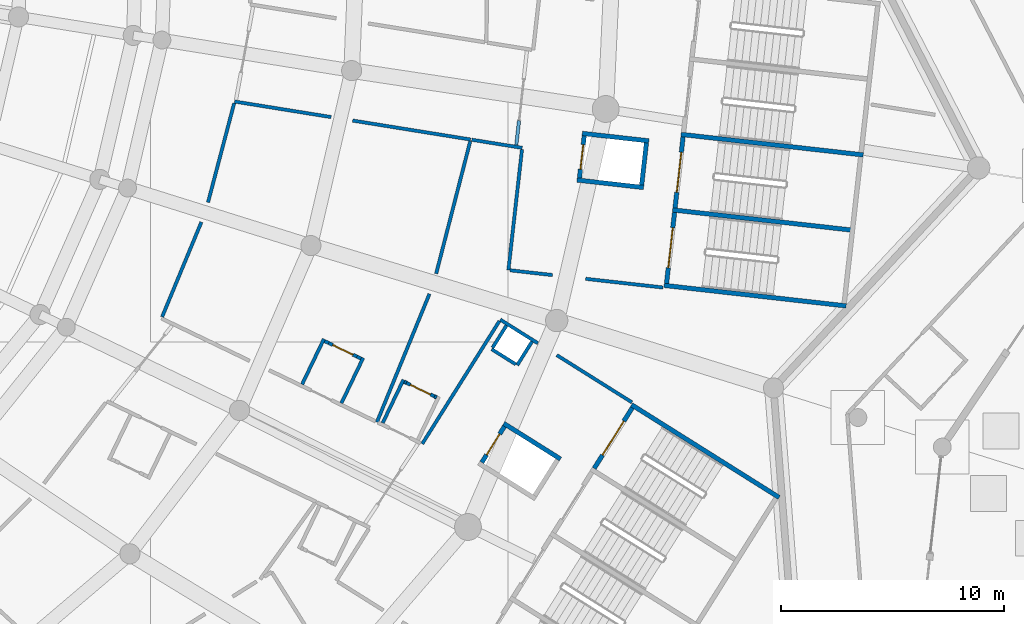
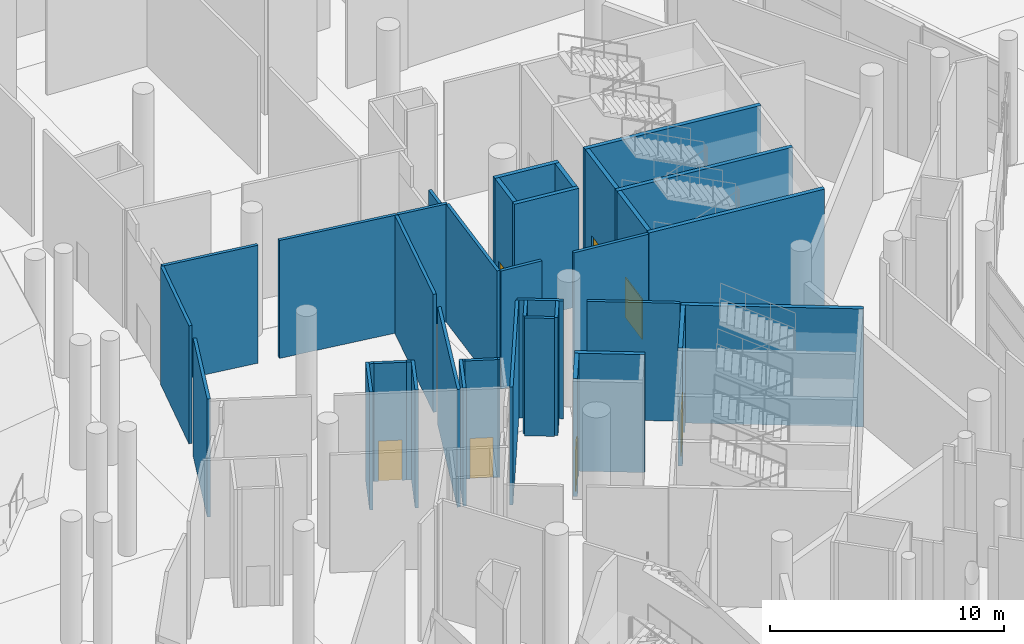
# One storey, part 126 of 255: 39 walls, 7 doors, 7 openings.
"""IFC4 building model written with IfcOpenShell, lengths in metres."""

from ifc_helpers import new_model, si_unit, direction, frame, frame_2d, origin, place, context, subcontext, project, spatial, rectangle, extrude, material, layer, layer_set, type_object, element, fill, save


model = new_model("IFC4")

# Units and contexts
model_context = context("Model", 3, precision=1e-05, world=origin(), true_north=direction((0.0, 1.0)))
body_context = subcontext(model_context, "Body", "Model", "MODEL_VIEW")
ifc_project = project(units=[si_unit("LENGTHUNIT", "METRE"), si_unit("AREAUNIT", "SQUARE_METRE"), si_unit("VOLUMEUNIT", "CUBIC_METRE"), si_unit("PLANEANGLEUNIT", "RADIAN"), si_unit("MASSUNIT", "GRAM", prefix="KILO")], contexts=[model_context])

# Site, building, storey
site_placement = place(None, origin())
site = spatial("IfcSite", under=ifc_project, at=site_placement, CompositionType="ELEMENT")
building_placement = place(site_placement, origin())
building = spatial("IfcBuilding", under=site, at=building_placement, Name="Meseta Stadium", CompositionType="ELEMENT")
storey_placement = place(building_placement, origin())
storey = spatial("IfcBuildingStorey", under=building, at=storey_placement, Name="L00", CompositionType="ELEMENT", Elevation=0.0)

# Walls
ifc_material_1 = material(Name="Concrete C40/50", Category="concrete")
ifc_layer_1 = layer(ifc_material_1, 0.199951171875)
ifc_layer_set_1 = layer_set([ifc_layer_1], Name="Core divider wall 200")
wall_type_1 = type_object("IfcWallType", Name="Core divider wall 200", PredefinedType="SHEAR", material=ifc_layer_set_1)
wall_1_placement = place(storey_placement, frame((95.503662109375, -58.999267578125, 0.0), z_axis=(0.0, 0.0, 1.0), x_axis=(-0.993710792168, 0.111977058046, 0.0)))
element("IfcWall", 1, at=wall_1_placement, inside=storey, type_object=wall_type_1, Name="Core 01 L00 stair A divider wall", PredefinedType="SHEAR", context=body_context, shape_type="SweptSolid", body=[
    extrude(rectangle(XDim=8.199951171875, YDim=0.199951171875, at=frame_2d((4.10009765625, 0.0))), origin(), (0.0, 0.0, 1.0), 6.14990234375),
])
ifc_material_2 = material(Name="Concrete C40/50", Category="concrete")
ifc_layer_2 = layer(ifc_material_2, 0.199951171875)
ifc_layer_set_2 = layer_set([ifc_layer_2], Name="Core shaft wall 200")
wall_type_2 = type_object("IfcWallType", Name="Core shaft wall 200", PredefinedType="SHEAR", material=ifc_layer_set_2)
wall_2_placement = place(storey_placement, frame((95.123046875, -62.3779296875, 0.0), z_axis=(0.0, 0.0, 1.0), x_axis=(-0.993710792168, 0.111977058046, 0.0)))
element("IfcWall", 2, at=wall_2_placement, inside=storey, type_object=wall_type_2, Name="Core 01 L00 stair wall A-side", PredefinedType="SHEAR", context=body_context, shape_type="SweptSolid", body=[
    extrude(rectangle(XDim=8.199951171875, YDim=0.199951171875, at=frame_2d((4.10009765625, 0.0))), origin(), (0.0, 0.0, 1.0), 6.14990234375),
])
wall_3_placement = place(storey_placement, frame((95.884521484375, -55.62060546875, 0.0), z_axis=(0.0, 0.0, 1.0), x_axis=(-0.993711165474, 0.111973745194, 0.0)))
element("IfcWall", 3, at=wall_3_placement, inside=storey, type_object=wall_type_2, Name="Core 01 L00 stair wall shared", PredefinedType="SHEAR", context=body_context, shape_type="SweptSolid", body=[
    extrude(rectangle(XDim=8.2001953125, YDim=0.199951171875, at=frame_2d((4.10009765625, 0.0))), origin(), (0.0, 0.0, 1.0), 6.14990234375),
])

# Wall, opening, door
wall_4_placement = place(storey_placement, frame((87.085205078125, -61.37158203125, 0.0), z_axis=(0.0, 0.0, 1.0), x_axis=(0.11192190762, 0.993717005286, 0.0)))
wall_4 = element("IfcWall", 4, at=wall_4_placement, inside=storey, type_object=wall_type_2, Name="Core 01 L00 stair A1 inner end wall", PredefinedType="SHEAR", context=body_context, shape_type="SweptSolid", body=[
    extrude(rectangle(XDim=3.199951171875, YDim=0.199951171875, at=frame_2d((1.60009765625, 0.0))), origin(), (0.0, 0.0, 1.0), 6.14990234375),
])
opening_1_placement = place(wall_4_placement, frame((0.699951171875, 0.0, 0.0)))
opening_1 = element("IfcOpeningElement", 5, at=opening_1_placement, cuts=wall_4, Name="Opening D035", PredefinedType="OPENING", context=body_context, shape_type="SweptSolid", body=[
    extrude(rectangle(XDim=1.800048828125, YDim=2.10009765625, at=frame_2d((0.89990234375, 1.050048828125))), frame((0.0, 0.10986328125, 0.0), z_axis=(0.0, -1.0, 0.0), x_axis=(1.0, 0.0, 0.0)), (0.0, 0.0, 1.0), 0.219970703125),
])
ifc_material_3 = material(Name="Steel", Category="steel")
door_type_1 = type_object("IfcDoorType", Name="Stair door 1800x2100", OperationType="DOUBLE_DOOR_SINGLE_SWING", PredefinedType="DOOR", material=ifc_material_3)
door_1_placement = place(opening_1_placement, origin())
door_1 = element("IfcDoor", 6, at=door_1_placement, inside=storey, type_object=door_type_1, Name="Stair A1 door 01 L00", OperationType="DOUBLE_DOOR_SINGLE_SWING", OverallHeight=2.10009765625, OverallWidth=1.800048828125, PredefinedType="DOOR", context=body_context, shape_type="SweptSolid", body=[
    extrude(rectangle(XDim=1.800048828125, YDim=2.10009765625, at=frame_2d((0.89990234375, 1.050048828125))), frame((0.0, 0.02490234375, 0.0), z_axis=(0.0, -1.0, 0.0), x_axis=(1.0, 0.0, 0.0)), (0.0, 0.0, 1.0), 0.050048828125),
])
fill(opening_1, door_1)

wall_5_placement = place(storey_placement, frame((87.4658203125, -57.992919921875, 0.0), z_axis=(0.0, 0.0, 1.0), x_axis=(0.111997244021, 0.993708517288, 0.0)))
wall_5 = element("IfcWall", 7, at=wall_5_placement, inside=storey, type_object=wall_type_2, Name="Core 01 L00 stair A2 inner end wall", PredefinedType="SHEAR", context=body_context, shape_type="SweptSolid", body=[
    extrude(rectangle(XDim=3.199951171875, YDim=0.199951171875, at=frame_2d((1.60009765625, 0.0))), origin(), (0.0, 0.0, 1.0), 6.14990234375),
])
opening_2_placement = place(wall_5_placement, frame((0.699951171875, 0.0, 0.0)))
opening_2 = element("IfcOpeningElement", 8, at=opening_2_placement, cuts=wall_5, Name="Opening D036", PredefinedType="OPENING", context=body_context, shape_type="SweptSolid", body=[
    extrude(rectangle(XDim=1.800048828125, YDim=2.10009765625, at=frame_2d((0.89990234375, 1.050048828125))), frame((0.0, 0.10986328125, 0.0), z_axis=(0.0, -1.0, 0.0), x_axis=(1.0, 0.0, 0.0)), (0.0, 0.0, 1.0), 0.219970703125),
])
door_2_placement = place(opening_2_placement, origin())
door_2 = element("IfcDoor", 9, at=door_2_placement, inside=storey, type_object=door_type_1, Name="Stair A2 door 01 L00", OperationType="DOUBLE_DOOR_SINGLE_SWING", OverallHeight=2.10009765625, OverallWidth=1.800048828125, PredefinedType="DOOR", context=body_context, shape_type="SweptSolid", body=[
    extrude(rectangle(XDim=1.800048828125, YDim=2.10009765625, at=frame_2d((0.89990234375, 1.050048828125))), frame((0.0, 0.02490234375, 0.0), z_axis=(0.0, -1.0, 0.0), x_axis=(1.0, 0.0, 0.0)), (0.0, 0.0, 1.0), 0.050048828125),
])
fill(opening_2, door_2)

# Walls
for number, where, z_axis, x_axis, name in (
    (10, (86.05908203125, -57.07958984375, 0.0), (0.0, 0.0, 1.0), (-0.993718878013, 0.111905279056, 0.0), "Core 01 L00 lift shaft wall left"),
    (11, (86.294189453125, -54.992919921875, 0.0), (0.0, 0.0, 1.0), (-0.993709824566, 0.111985644439, 0.0), "Core 01 L00 lift shaft wall right"),
):
    element("IfcWall", number, at=place(storey_placement, frame(where, z_axis=z_axis, x_axis=x_axis)), inside=storey, type_object=wall_type_2, Name=name, PredefinedType="SHEAR", context=body_context, shape_type="SweptSolid", body=[
        extrude(rectangle(XDim=2.999755859375, YDim=0.199951171875, at=frame_2d((1.5, 0.0))), origin(), (0.0, 0.0, 1.0), 6.14990234375),
    ])
wall_6_placement = place(storey_placement, frame((85.970947265625, -56.96923828125, 0.0), z_axis=(0.0, 0.0, 1.0), x_axis=(0.112039012324, 0.993703808847, 0.0)))
element("IfcWall", 12, at=wall_6_placement, inside=storey, type_object=wall_type_2, Name="Core 01 L00 lift shaft back wall", PredefinedType="SHEAR", context=body_context, shape_type="SweptSolid", body=[
    extrude(rectangle(XDim=1.900146484375, YDim=0.199951171875, at=frame_2d((0.9501953125, 0.0))), origin(), (0.0, 0.0, 1.0), 6.14990234375),
])

# Wall, opening, door
wall_7_placement = place(storey_placement, frame((83.188720703125, -56.65576171875, 0.0), z_axis=(0.0, 0.0, 1.0), x_axis=(0.11191213732, 0.993718105662, 0.0)))
wall_7 = element("IfcWall", 13, at=wall_7_placement, inside=storey, type_object=wall_type_2, Name="Core 01 L00 lift shaft front wall", PredefinedType="SHEAR", context=body_context, shape_type="SweptSolid", body=[
    extrude(rectangle(XDim=1.900146484375, YDim=0.199951171875, at=frame_2d((0.9501953125, 0.0))), origin(), (0.0, 0.0, 1.0), 6.14990234375),
])
opening_3_placement = place(wall_7_placement, frame((0.39990234375, 0.0, 0.0)))
opening_3 = element("IfcOpeningElement", 14, at=opening_3_placement, cuts=wall_7, Name="Opening LD2", PredefinedType="OPENING", context=body_context, shape_type="SweptSolid", body=[
    extrude(rectangle(XDim=1.10009765625, YDim=2.10009765625, at=frame_2d((0.550048828125, 1.050048828125))), frame((0.0, 0.10986328125, 0.0), z_axis=(0.0, -1.0, 0.0), x_axis=(1.0, 0.0, 0.0)), (0.0, 0.0, 1.0), 0.219970703125),
])
ifc_material_4 = material(Name="Steel", Category="steel")
door_type_2 = type_object("IfcDoorType", Name="Lift landing door 1100x2100", OperationType="SLIDING_TO_LEFT", PredefinedType="DOOR", material=ifc_material_4)
door_3_placement = place(opening_3_placement, origin())
door_3 = element("IfcDoor", 15, at=door_3_placement, inside=storey, type_object=door_type_2, Name="Lift landing door LD2", OperationType="SLIDING_TO_RIGHT", OverallHeight=2.10009765625, OverallWidth=1.10009765625, PredefinedType="DOOR", context=body_context, shape_type="SweptSolid", body=[
    extrude(rectangle(XDim=1.10009765625, YDim=2.10009765625, at=frame_2d((0.550048828125, 1.050048828125))), frame((0.0, 0.02490234375, 0.0), z_axis=(0.0, -1.0, 0.0), x_axis=(1.0, 0.0, 0.0)), (0.0, 0.0, 1.0), 0.050048828125),
])
fill(opening_3, door_3)

# Wall
wall_8_placement = place(storey_placement, frame((92.123291015625, -70.9501953125, 0.0), z_axis=(0.0, 0.0, 1.0), x_axis=(-0.846722763703, 0.532034361135, 0.0)))
element("IfcWall", 16, at=wall_8_placement, inside=storey, type_object=wall_type_2, Name="Core 28 L00 stair wall B-side", PredefinedType="SHEAR", context=body_context, shape_type="SweptSolid", body=[
    extrude(rectangle(XDim=7.800048828125, YDim=0.199951171875, at=frame_2d((3.89990234375, 0.0))), origin(), (0.0, 0.0, 1.0), 6.14990234375),
])

# Wall, opening, door
wall_9_placement = place(storey_placement, frame((83.847900390625, -69.647705078125, 0.0), z_axis=(0.0, 0.0, 1.0), x_axis=(0.532013720158, 0.846735733015, 0.0)))
wall_9 = element("IfcWall", 17, at=wall_9_placement, inside=storey, type_object=wall_type_2, Name="Core 28 L00 stair B2 inner end wall", PredefinedType="SHEAR", context=body_context, shape_type="SweptSolid", body=[
    extrude(rectangle(XDim=3.199951171875, YDim=0.199951171875, at=frame_2d((1.60009765625, 0.0))), origin(), (0.0, 0.0, 1.0), 6.14990234375),
])
opening_4_placement = place(wall_9_placement, frame((0.699951171875, 0.0, 0.0)))
opening_4 = element("IfcOpeningElement", 18, at=opening_4_placement, cuts=wall_9, Name="Opening D372", PredefinedType="OPENING", context=body_context, shape_type="SweptSolid", body=[
    extrude(rectangle(XDim=1.800048828125, YDim=2.10009765625, at=frame_2d((0.89990234375, 1.050048828125))), frame((0.0, 0.10986328125, 0.0), z_axis=(0.0, -1.0, 0.0), x_axis=(1.0, 0.0, 0.0)), (0.0, 0.0, 1.0), 0.219970703125),
])
door_4_placement = place(opening_4_placement, origin())
door_4 = element("IfcDoor", 19, at=door_4_placement, inside=storey, type_object=door_type_1, Name="Stair B2 door 28 L00", OperationType="DOUBLE_DOOR_SINGLE_SWING", OverallHeight=2.10009765625, OverallWidth=1.800048828125, PredefinedType="DOOR", context=body_context, shape_type="SweptSolid", body=[
    extrude(rectangle(XDim=1.800048828125, YDim=2.10009765625, at=frame_2d((0.89990234375, 1.050048828125))), frame((0.0, 0.02490234375, 0.0), z_axis=(0.0, -1.0, 0.0), x_axis=(1.0, 0.0, 0.0)), (0.0, 0.0, 1.0), 0.050048828125),
])
fill(opening_4, door_4)

# Wall
wall_10_placement = place(storey_placement, frame((82.33837890625, -69.230712890625, 0.0), z_axis=(0.0, 0.0, 1.0), x_axis=(-0.846757002027, 0.531979867588, 0.0)))
element("IfcWall", 20, at=wall_10_placement, inside=storey, type_object=wall_type_2, Name="Core 28 L00 lift shaft wall right", PredefinedType="SHEAR", context=body_context, shape_type="SweptSolid", body=[
    extrude(rectangle(XDim=3.0, YDim=0.199951171875, at=frame_2d((1.5, 0.0))), origin(), (0.0, 0.0, 1.0), 6.14990234375),
])

# Wall, opening, door
wall_11_placement = place(storey_placement, frame((78.81884765625, -69.38134765625, 0.0), z_axis=(0.0, 0.0, 1.0), x_axis=(0.532018892235, 0.846732483318, 0.0)))
wall_11 = element("IfcWall", 21, at=wall_11_placement, inside=storey, type_object=wall_type_2, Name="Core 28 L00 lift shaft front wall", PredefinedType="SHEAR", context=body_context, shape_type="SweptSolid", body=[
    extrude(rectangle(XDim=1.89990234375, YDim=0.199951171875, at=frame_2d((0.949951171875, 0.0))), origin(), (0.0, 0.0, 1.0), 6.14990234375),
])
opening_5_placement = place(wall_11_placement, frame((0.39990234375, 0.0, 0.0)))
opening_5 = element("IfcOpeningElement", 22, at=opening_5_placement, cuts=wall_11, Name="Opening LD152", PredefinedType="OPENING", context=body_context, shape_type="SweptSolid", body=[
    extrude(rectangle(XDim=1.10009765625, YDim=2.10009765625, at=frame_2d((0.550048828125, 1.050048828125))), frame((0.0, 0.10986328125, 0.0), z_axis=(0.0, -1.0, 0.0), x_axis=(1.0, 0.0, 0.0)), (0.0, 0.0, 1.0), 0.219970703125),
])
door_5_placement = place(opening_5_placement, origin())
door_5 = element("IfcDoor", 23, at=door_5_placement, inside=storey, type_object=door_type_2, Name="Lift landing door LD152", OperationType="SLIDING_TO_RIGHT", OverallHeight=2.10009765625, OverallWidth=1.10009765625, PredefinedType="DOOR", context=body_context, shape_type="SweptSolid", body=[
    extrude(rectangle(XDim=1.10009765625, YDim=2.10009765625, at=frame_2d((0.550048828125, 1.050048828125))), frame((0.0, 0.02490234375, 0.0), z_axis=(0.0, -1.0, 0.0), x_axis=(1.0, 0.0, 0.0)), (0.0, 0.0, 1.0), 0.050048828125),
])
fill(opening_5, door_5)

# Walls
ifc_material_5 = material(Name="Masonry blockwork", Category="masonry")
ifc_layer_3 = layer(ifc_material_5, 0.14990234375)
ifc_layer_set_3 = layer_set([ifc_layer_3], Name="Partition 150")
wall_type_3 = type_object("IfcWallType", Name="Partition 150", PredefinedType="PARTITIONING", material=ifc_layer_set_3)
wall_12_placement = place(storey_placement, frame((67.75537109375, -53.232177734375, 0.0), z_axis=(0.0, 0.0, 1.0), x_axis=(0.987284923189, -0.15896062545, 0.0)))
element("IfcWall", 24, at=wall_12_placement, inside=storey, type_object=wall_type_3, Name="Partition L00 L00-cell27-1-0", PredefinedType="PARTITIONING", context=body_context, shape_type="SweptSolid", body=[
    extrude(rectangle(XDim=4.377197265625, YDim=0.14990234375, at=frame_2d((2.1884765625, 0.0))), origin(), (0.0, 0.0, 1.0), 6.14990234375),
])
wall_13_placement = place(storey_placement, frame((73.037353515625, -54.082763671875, 0.0), z_axis=(0.0, 0.0, 1.0), x_axis=(0.987272342861, -0.159038740634, 0.0)))
element("IfcWall", 25, at=wall_13_placement, inside=storey, type_object=wall_type_3, Name="Partition L00 L00-cell27-1-0", PredefinedType="PARTITIONING", context=body_context, shape_type="SweptSolid", body=[
    extrude(rectangle(XDim=5.349853515625, YDim=0.14990234375, at=frame_2d((2.6748046875, 0.0))), origin(), (0.0, 0.0, 1.0), 6.14990234375),
])
wall_14_placement = place(storey_placement, frame((78.300537109375, -55.00634765625, 0.0), z_axis=(0.0, 0.0, 1.0), x_axis=(-0.249144697435, -0.968466271865, 0.0)))
element("IfcWall", 26, at=wall_14_placement, inside=storey, type_object=wall_type_3, Name="Partition L00 L00-cell27-1-0", PredefinedType="PARTITIONING", context=body_context, shape_type="SweptSolid", body=[
    extrude(rectangle(XDim=6.12255859375, YDim=0.14990234375, at=frame_2d((3.061279296875, 0.0))), origin(), (0.0, 0.0, 1.0), 6.14990234375),
])
wall_15_placement = place(storey_placement, frame((76.4755859375, -61.8388671875, 0.0), z_axis=(0.0, 0.0, 1.0), x_axis=(-0.3791112098, -0.92535111747, 0.0)))
element("IfcWall", 27, at=wall_15_placement, inside=storey, type_object=wall_type_3, Name="Partition L00 L00-cell27-1-0", PredefinedType="PARTITIONING", context=body_context, shape_type="SweptSolid", body=[
    extrude(rectangle(XDim=6.19970703125, YDim=0.14990234375, at=frame_2d((3.099853515625, 0.0))), origin(), (0.0, 0.0, 1.0), 6.14990234375),
])
wall_16_placement = place(storey_placement, frame((64.510986328125, -62.868896484375, 0.0), z_axis=(0.0, 0.0, 1.0), x_axis=(0.382677430763, 0.923882018433, 0.0)))
element("IfcWall", 28, at=wall_16_placement, inside=storey, type_object=wall_type_3, Name="Partition L00 L00-cell27-1-0", PredefinedType="PARTITIONING", context=body_context, shape_type="SweptSolid", body=[
    extrude(rectangle(XDim=4.5908203125, YDim=0.14990234375, at=frame_2d((2.29541015625, 0.0))), origin(), (0.0, 0.0, 1.0), 6.14990234375),
])
wall_17_placement = place(storey_placement, frame((66.5654296875, -57.7451171875, 0.0), z_axis=(0.0, 0.0, 1.0), x_axis=(0.254938171393, 0.96695735623, 0.0)))
element("IfcWall", 29, at=wall_17_placement, inside=storey, type_object=wall_type_3, Name="Partition L00 L00-cell27-1-0", PredefinedType="PARTITIONING", context=body_context, shape_type="SweptSolid", body=[
    extrude(rectangle(XDim=4.591796875, YDim=0.14990234375, at=frame_2d((2.2958984375, 0.0))), origin(), (0.0, 0.0, 1.0), 6.14990234375),
])
wall_18_placement = place(storey_placement, frame((85.5380859375, -66.694580078125, 0.0), z_axis=(0.0, 0.0, 1.0), x_axis=(-0.84671635408, 0.532044561793, 0.0)))
element("IfcWall", 30, at=wall_18_placement, inside=storey, type_object=wall_type_3, Name="Partition L00 L00-cell27-2-0", PredefinedType="PARTITIONING", context=body_context, shape_type="SweptSolid", body=[
    extrude(rectangle(XDim=3.97705078125, YDim=0.14990234375, at=frame_2d((1.988525390625, 0.0))), origin(), (0.0, 0.0, 1.0), 6.14990234375),
])
wall_19_placement = place(storey_placement, frame((81.328857421875, -64.049560546875, 0.0), z_axis=(0.0, 0.0, 1.0), x_axis=(-0.84670607735, 0.532060916229, 0.0)))
element("IfcWall", 31, at=wall_19_placement, inside=storey, type_object=wall_type_3, Name="Partition L00 L00-cell27-2-0", PredefinedType="PARTITIONING", context=body_context, shape_type="SweptSolid", body=[
    extrude(rectangle(XDim=1.98876953125, YDim=0.14990234375, at=frame_2d((0.994384765625, 0.0))), origin(), (0.0, 0.0, 1.0), 6.14990234375),
])
wall_20_placement = place(storey_placement, frame((79.605224609375, -63.054931640625, 0.0), z_axis=(0.0, 0.0, 1.0), x_axis=(-0.532032873767, -0.846723698281, 0.0)))
element("IfcWall", 32, at=wall_20_placement, inside=storey, type_object=wall_type_3, Name="Partition L00 L00-cell27-2-0", PredefinedType="PARTITIONING", context=body_context, shape_type="SweptSolid", body=[
    extrude(rectangle(XDim=6.490478515625, YDim=0.14990234375, at=frame_2d((3.2451171875, 0.0))), origin(), (0.0, 0.0, 1.0), 6.14990234375),
])
wall_21_placement = place(storey_placement, frame((78.36865234375, -54.94140625, 0.0), z_axis=(0.0, 0.0, 1.0), x_axis=(0.987271996108, -0.15904089317, 0.0)))
element("IfcWall", 33, at=wall_21_placement, inside=storey, type_object=wall_type_3, Name="Partition L00 L00-cell27-2-0", PredefinedType="PARTITIONING", context=body_context, shape_type="SweptSolid", body=[
    extrude(rectangle(XDim=2.2841796875, YDim=0.14990234375, at=frame_2d((1.14208984375, 0.0))), origin(), (0.0, 0.0, 1.0), 6.14990234375),
])
wall_22_placement = place(storey_placement, frame((80.615478515625, -55.379150390625, 0.0), z_axis=(0.0, 0.0, 1.0), x_axis=(-0.111990669248, -0.993709258285, 0.0)))
element("IfcWall", 34, at=wall_22_placement, inside=storey, type_object=wall_type_3, Name="Partition L00 L00-cell27-2-0", PredefinedType="PARTITIONING", context=body_context, shape_type="SweptSolid", body=[
    extrude(rectangle(XDim=5.430419921875, YDim=0.14990234375, at=frame_2d((2.71533203125, 0.0))), origin(), (0.0, 0.0, 1.0), 6.14990234375),
])
wall_23_placement = place(storey_placement, frame((80.081787109375, -60.78369140625, 0.0), z_axis=(0.0, 0.0, 1.0), x_axis=(0.993706666168, -0.112013667081, 0.0)))
element("IfcWall", 35, at=wall_23_placement, inside=storey, type_object=wall_type_3, Name="Partition L00 L00-cell27-2-0", PredefinedType="PARTITIONING", context=body_context, shape_type="SweptSolid", body=[
    extrude(rectangle(XDim=1.91357421875, YDim=0.14990234375, at=frame_2d((0.956787109375, 0.0))), origin(), (0.0, 0.0, 1.0), 6.14990234375),
])
wall_24_placement = place(storey_placement, frame((83.465576171875, -61.1650390625, 0.0), z_axis=(0.0, 0.0, 1.0), x_axis=(0.993711425552, -0.111971437107, 0.0)))
element("IfcWall", 36, at=wall_24_placement, inside=storey, type_object=wall_type_3, Name="Partition L00 L00-cell27-2-0", PredefinedType="PARTITIONING", context=body_context, shape_type="SweptSolid", body=[
    extrude(rectangle(XDim=3.47998046875, YDim=0.14990234375, at=frame_2d((1.739990234375, 0.0))), origin(), (0.0, 0.0, 1.0), 6.14990234375),
])
wall_25_placement = place(storey_placement, frame((80.400634765625, -65.03125, 0.0), z_axis=(0.0, 0.0, 1.0), x_axis=(0.532035438589, 0.846722086688, 0.0)))
element("IfcWall", 37, at=wall_25_placement, inside=storey, type_object=wall_type_3, Name="Pressurisation shaft wall L00 core 28", PredefinedType="PARTITIONING", context=body_context, shape_type="SweptSolid", body=[
    extrude(rectangle(XDim=1.2490234375, YDim=0.14990234375, at=frame_2d((0.62451171875, 0.0))), origin(), (0.0, 0.0, 1.0), 6.14990234375),
])
wall_26_placement = place(storey_placement, frame((79.922119140625, -63.25537109375, 0.0), z_axis=(0.0, 0.0, 1.0), x_axis=(-0.531941549268, -0.846781074518, 0.0)))
element("IfcWall", 38, at=wall_26_placement, inside=storey, type_object=wall_type_3, Name="Pressurisation shaft wall L00 core 28", PredefinedType="PARTITIONING", context=body_context, shape_type="SweptSolid", body=[
    extrude(rectangle(XDim=1.174072265625, YDim=0.14990234375, at=frame_2d((0.5869140625, 0.0))), origin(), (0.0, 0.0, 1.0), 6.14990234375),
])
wall_27_placement = place(storey_placement, frame((79.257568359375, -64.31298828125, 0.0), z_axis=(0.0, 0.0, 1.0), x_axis=(0.846769635862, -0.531959757672, 0.0)))
element("IfcWall", 39, at=wall_27_placement, inside=storey, type_object=wall_type_3, Name="Pressurisation shaft wall L00 core 28", PredefinedType="PARTITIONING", context=body_context, shape_type="SweptSolid", body=[
    extrude(rectangle(XDim=1.27490234375, YDim=0.14990234375, at=frame_2d((0.637451171875, 0.0))), origin(), (0.0, 0.0, 1.0), 6.14990234375),
])
wall_28_placement = place(storey_placement, frame((72.535400390625, -66.727783203125, 0.0), z_axis=(0.0, 0.0, 1.0), x_axis=(0.433401217297, 0.901201079031, 0.0)))
element("IfcWall", 40, at=wall_28_placement, inside=storey, type_object=wall_type_3, Name="Partition L00 L00-cell27-1-0 vestibule", PredefinedType="PARTITIONING", context=body_context, shape_type="SweptSolid", body=[
    extrude(rectangle(XDim=2.249755859375, YDim=0.14990234375, at=frame_2d((1.125, 0.0))), origin(), (0.0, 0.0, 1.0), 6.14990234375),
])
wall_29_placement = place(storey_placement, frame((70.778076171875, -65.8828125, 0.0), z_axis=(0.0, 0.0, 1.0), x_axis=(0.433446957245, 0.901179080569, 0.0)))
element("IfcWall", 41, at=wall_29_placement, inside=storey, type_object=wall_type_3, Name="Partition L00 L00-cell27-1-0 vestibule", PredefinedType="PARTITIONING", context=body_context, shape_type="SweptSolid", body=[
    extrude(rectangle(XDim=2.250244140625, YDim=0.14990234375, at=frame_2d((1.125, 0.0))), origin(), (0.0, 0.0, 1.0), 6.14990234375),
])
wall_30_placement = place(storey_placement, frame((73.410400390625, -64.7353515625, 0.0), z_axis=(0.0, 0.0, 1.0), x_axis=(-0.901160703759, 0.433485162377, 0.0)))
element("IfcWall", 42, at=wall_30_placement, inside=storey, type_object=wall_type_3, Name="Partition L00 L00-cell27-1-0 vestibule", PredefinedType="PARTITIONING", context=body_context, shape_type="SweptSolid", body=[
    extrude(rectangle(XDim=0.199951171875, YDim=0.14990234375, at=frame_2d((0.10009765625, 0.0))), origin(), (0.0, 0.0, 1.0), 6.14990234375),
])

# Wall, opening, door
wall_31_placement = place(storey_placement, frame((73.230224609375, -64.648681640625, 0.0), z_axis=(0.0, 0.0, 1.0), x_axis=(-0.901158119361, 0.433490534971, 0.0)))
wall_31 = element("IfcWall", 43, at=wall_31_placement, inside=storey, type_object=wall_type_3, Name="Partition L00 L00-cell27-1-0 vestibule", PredefinedType="PARTITIONING", context=body_context, shape_type="SweptSolid", body=[
    extrude(rectangle(XDim=1.400146484375, YDim=0.14990234375, at=frame_2d((0.7001953125, 0.0))), origin(), (0.0, 0.0, 1.0), 6.14990234375),
])
opening_6_placement = place(wall_31_placement, frame((0.199951171875, 0.0, 0.0)))
opening_6 = element("IfcOpeningElement", 44, at=opening_6_placement, cuts=wall_31, Name="Opening D867", PredefinedType="OPENING", context=body_context, shape_type="SweptSolid", body=[
    extrude(rectangle(XDim=1.0, YDim=2.10009765625, at=frame_2d((0.5, 1.050048828125))), frame((0.0, 0.0849609375, 0.0), z_axis=(0.0, -1.0, 0.0), x_axis=(1.0, 0.0, 0.0)), (0.0, 0.0, 1.0), 0.169921875),
])
ifc_material_6 = material(Name="Steel", Category="steel")
door_type_3 = type_object("IfcDoorType", Name="Fire door 1000x2100 EI2 60", OperationType="NOTDEFINED", PredefinedType="DOOR", material=ifc_material_6)
door_6_placement = place(opening_6_placement, origin())
door_6 = element("IfcDoor", 45, at=door_6_placement, inside=storey, type_object=door_type_3, Name="Vestibule door L00 L00-cell27-1-0", OperationType="SINGLE_SWING_LEFT", OverallHeight=2.10009765625, OverallWidth=1.0, PredefinedType="DOOR", context=body_context, shape_type="SweptSolid", body=[
    extrude(rectangle(XDim=1.0, YDim=2.10009765625, at=frame_2d((0.5, 1.050048828125))), frame((0.0, 0.02490234375, 0.0), z_axis=(0.0, -1.0, 0.0), x_axis=(1.0, 0.0, 0.0)), (0.0, 0.0, 1.0), 0.050048828125),
])
fill(opening_6, door_6)

# Walls
wall_32_placement = place(storey_placement, frame((71.968505859375, -64.041748046875, 0.0), z_axis=(0.0, 0.0, 1.0), x_axis=(-0.901160703759, 0.433485162377, 0.0)))
element("IfcWall", 46, at=wall_32_placement, inside=storey, type_object=wall_type_3, Name="Partition L00 L00-cell27-1-0 vestibule", PredefinedType="PARTITIONING", context=body_context, shape_type="SweptSolid", body=[
    extrude(rectangle(XDim=0.199951171875, YDim=0.14990234375, at=frame_2d((0.10009765625, 0.0))), origin(), (0.0, 0.0, 1.0), 6.14990234375),
])
wall_33_placement = place(storey_placement, frame((74.3818359375, -67.615966796875, 0.0), z_axis=(0.0, 0.0, 1.0), x_axis=(0.433399074272, 0.90120210964, 0.0)))
element("IfcWall", 47, at=wall_33_placement, inside=storey, type_object=wall_type_3, Name="Partition L00 L00-cell27-2-0 vestibule", PredefinedType="PARTITIONING", context=body_context, shape_type="SweptSolid", body=[
    extrude(rectangle(XDim=2.150146484375, YDim=0.14990234375, at=frame_2d((1.0751953125, 0.0))), origin(), (0.0, 0.0, 1.0), 6.14990234375),
])
wall_34_placement = place(storey_placement, frame((76.790771484375, -66.471923828125, 0.0), z_axis=(0.0, 0.0, 1.0), x_axis=(-0.900683407008, 0.434476006633, 0.0)))
element("IfcWall", 48, at=wall_34_placement, inside=storey, type_object=wall_type_3, Name="Partition L00 L00-cell27-2-0 vestibule", PredefinedType="PARTITIONING", context=body_context, shape_type="SweptSolid", body=[
    extrude(rectangle(XDim=0.10009765625, YDim=0.14990234375, at=frame_2d((0.050048828125, 0.0))), origin(), (0.0, 0.0, 1.0), 6.14990234375),
])

# Wall, opening, door
wall_35_placement = place(storey_placement, frame((76.70068359375, -66.428466796875, 0.0), z_axis=(0.0, 0.0, 1.0), x_axis=(-0.901226230947, 0.433348913294, 0.0)))
wall_35 = element("IfcWall", 49, at=wall_35_placement, inside=storey, type_object=wall_type_3, Name="Partition L00 L00-cell27-2-0 vestibule", PredefinedType="PARTITIONING", context=body_context, shape_type="SweptSolid", body=[
    extrude(rectangle(XDim=1.39990234375, YDim=0.14990234375, at=frame_2d((0.699951171875, 0.0))), origin(), (0.0, 0.0, 1.0), 6.14990234375),
])
opening_7_placement = place(wall_35_placement, frame((0.199951171875, 0.0, 0.0)))
opening_7 = element("IfcOpeningElement", 50, at=opening_7_placement, cuts=wall_35, Name="Opening D868", PredefinedType="OPENING", context=body_context, shape_type="SweptSolid", body=[
    extrude(rectangle(XDim=1.0, YDim=2.10009765625, at=frame_2d((0.5, 1.050048828125))), frame((0.0, 0.0849609375, 0.0), z_axis=(0.0, -1.0, 0.0), x_axis=(1.0, 0.0, 0.0)), (0.0, 0.0, 1.0), 0.169921875),
])
door_7_placement = place(opening_7_placement, origin())
door_7 = element("IfcDoor", 51, at=door_7_placement, inside=storey, type_object=door_type_3, Name="Vestibule door L00 L00-cell27-2-0", OperationType="SINGLE_SWING_RIGHT", OverallHeight=2.10009765625, OverallWidth=1.0, PredefinedType="DOOR", context=body_context, shape_type="SweptSolid", body=[
    extrude(rectangle(XDim=1.0, YDim=2.10009765625, at=frame_2d((0.5, 1.050048828125))), frame((0.0, 0.02490234375, 0.0), z_axis=(0.0, -1.0, 0.0), x_axis=(1.0, 0.0, 0.0)), (0.0, 0.0, 1.0), 0.050048828125),
])
fill(opening_7, door_7)

# Walls
wall_36_placement = place(storey_placement, frame((75.43896484375, -65.82177734375, 0.0), z_axis=(0.0, 0.0, 1.0), x_axis=(-0.900683407008, 0.434476006633, 0.0)))
element("IfcWall", 52, at=wall_36_placement, inside=storey, type_object=wall_type_3, Name="Partition L00 L00-cell27-2-0 vestibule", PredefinedType="PARTITIONING", context=body_context, shape_type="SweptSolid", body=[
    extrude(rectangle(XDim=0.10009765625, YDim=0.14990234375, at=frame_2d((0.050048828125, 0.0))), origin(), (0.0, 0.0, 1.0), 6.14990234375),
])
wall_37_placement = place(storey_placement, frame((80.36083984375, -55.181640625, 5.050048828125), z_axis=(0.0, 0.0, 1.0), x_axis=(0.112087924477, 0.993698292837, 0.0)))
element("IfcWall", 53, at=wall_37_placement, inside=storey, type_object=wall_type_3, Name="Escape corridor sector wall L00 core 01", PredefinedType="PARTITIONING", context=body_context, shape_type="SweptSolid", body=[
    extrude(rectangle(XDim=1.099853515625, YDim=0.14990234375, at=frame_2d((0.5498046875, 0.0))), origin(), (0.0, 0.0, 1.0), 1.099853515625),
])

save(model, "model.ifc")
